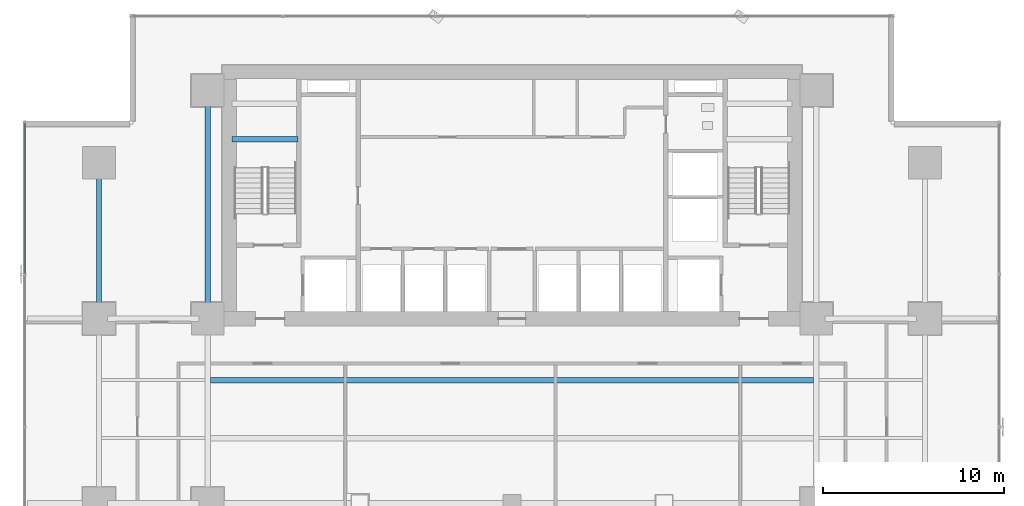
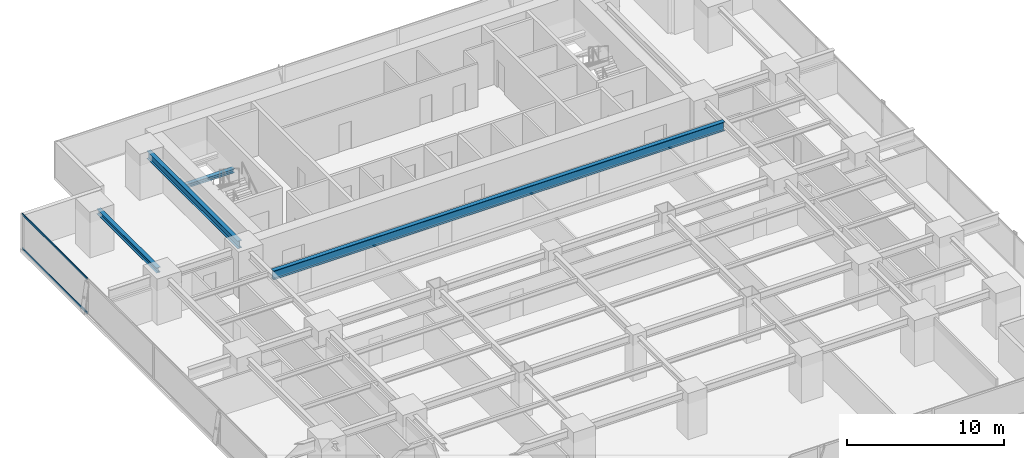
# One storey, part 16 of 32: 4 beams, 2 members, 1 element without a shape of its own.
"""IFC4 building model written with IfcOpenShell, lengths in metres."""

from ifc_helpers import new_model, si_unit, direction, frame, origin, origin_2d, place, context, subcontext, project, spatial, hollow_rectangle, i_section, extrude, source, transform, mapped, material, layer, layer_set, material_profile, profile_set, type_object, element, aggregate, save


model = new_model("IFC4")

# Units and contexts
model_context = context("Model", 3, precision=1e-05, world=origin(), true_north=direction((0.0, 1.0)))
body_context = subcontext(model_context, "Body", "Model", "MODEL_VIEW")
ifc_project = project(units=[si_unit("LENGTHUNIT", "METRE"), si_unit("AREAUNIT", "SQUARE_METRE"), si_unit("VOLUMEUNIT", "CUBIC_METRE"), si_unit("PLANEANGLEUNIT", "RADIAN"), si_unit("MASSUNIT", "GRAM", prefix="KILO")], contexts=[model_context])

# Site, building, storey
site_placement = place(None, origin())
site = spatial("IfcSite", under=ifc_project, at=site_placement, CompositionType="ELEMENT")
building_placement = place(site_placement, origin())
building = spatial("IfcBuilding", under=site, at=building_placement, Name="Sumidabori Civic Tower", CompositionType="ELEMENT")
storey_placement = place(building_placement, frame((0.0, 0.0, 52.39990234375)))
storey = spatial("IfcBuildingStorey", under=building, at=storey_placement, Name="L13", CompositionType="ELEMENT", Elevation=52.39990234375)

# Beams
ifc_material_1 = material(Name="Steel SN490", Category="steel")
ifc_material_profile_1 = material_profile(ifc_material_1, i_section(OverallWidth=0.300048828125, OverallDepth=0.300048828125, WebThickness=0.010986328125, FlangeThickness=0.01904296875, at=origin_2d()), Name="HE 300 B")
ifc_profile_set_1 = profile_set([ifc_material_profile_1], Name="Steel SN490")
beam_type_1 = type_object("IfcBeamType", Name="BM-LDG-300", PredefinedType="BEAM", material=ifc_profile_set_1)
shared_shape_1 = source(origin(), body_context, "Body", "SweptSolid", [
    extrude(i_section(OverallWidth=0.300048828125, OverallDepth=0.300048828125, WebThickness=0.010986328125, FlangeThickness=0.01904296875, at=origin_2d()), origin(), (0.0, 0.0, 1.0), 3.64990234375),
])
beam_1_placement = place(storey_placement, frame((-15.449951171875, 20.09765625, 1.4501953125), z_axis=(1.0, 0.0, 0.0), x_axis=(0.0, 1.0, 0.0)))
element("IfcBeam", 1, at=beam_1_placement, inside=storey, type_object=beam_type_1, Name="Stair ST-1 Landing Support Beam L13-1A", PredefinedType="BEAM", context=body_context, shape_type="MappedRepresentation", body=[
    mapped(shared_shape_1, transform((0.0, 0.0, 0.0), x_axis=(1.0, 0.0, 0.0), y_axis=(0.0, 1.0, 0.0), z_axis=(0.0, 0.0, 1.0), scale=1.0)),
])
ifc_material_profile_2 = material_profile(ifc_material_1, i_section(OverallWidth=0.300048828125, OverallDepth=0.39990234375, WebThickness=0.013427734375, FlangeThickness=0.02392578125, at=origin_2d()), Name="HE 400 B")
ifc_profile_set_2 = profile_set([ifc_material_profile_2], Name="Steel SN490")
beam_type_2 = type_object("IfcBeamType", Name="BM-GIRD-400", PredefinedType="BEAM", material=ifc_profile_set_2)
shared_shape_2 = source(origin(), body_context, "Body", "SweptSolid", [
    extrude(i_section(OverallWidth=0.300048828125, OverallDepth=0.39990234375, WebThickness=0.013427734375, FlangeThickness=0.02392578125, at=origin_2d()), origin(), (0.0, 0.0, 1.0), 7.64013671875),
])
beam_2_placement = place(storey_placement, frame((-22.800048828125, 10.679931640625, 3.16015625), z_axis=(0.0, 1.0, 0.0), x_axis=(-1.0, 0.0, 0.0)))
element("IfcBeam", 2, at=beam_2_placement, inside=storey, type_object=beam_type_2, Name="Primary Girder L13 GY-24", PredefinedType="BEAM", context=body_context, shape_type="MappedRepresentation", body=[
    mapped(shared_shape_2, transform((0.0, 0.0, 0.0), x_axis=(1.0, 0.0, 0.0), y_axis=(0.0, 1.0, 0.0), z_axis=(0.0, 0.0, 1.0), scale=1.0)),
])
ifc_material_profile_3 = material_profile(ifc_material_1, i_section(OverallWidth=0.300048828125, OverallDepth=0.60009765625, WebThickness=0.015380859375, FlangeThickness=0.030029296875, at=origin_2d()), Name="HE 600 B")
ifc_profile_set_3 = profile_set([ifc_material_profile_3], Name="Steel SN490")
beam_type_3 = type_object("IfcBeamType", Name="BM-GIRD-600", PredefinedType="BEAM", material=ifc_profile_set_3)
shared_shape_3 = source(origin(), body_context, "Body", "SweptSolid", [
    extrude(i_section(OverallWidth=0.300048828125, OverallDepth=0.60009765625, WebThickness=0.015380859375, FlangeThickness=0.030029296875, at=origin_2d()), origin(), (0.0, 0.0, 1.0), 11.64013671875),
])
beam_3_placement = place(storey_placement, frame((-16.800048828125, 10.679931640625, 3.06005859375), z_axis=(0.0, 1.0, 0.0), x_axis=(-1.0, 0.0, 0.0)))
element("IfcBeam", 3, at=beam_3_placement, inside=storey, type_object=beam_type_3, Name="Primary Girder L13 GY-28", PredefinedType="BEAM", context=body_context, shape_type="MappedRepresentation", body=[
    mapped(shared_shape_3, transform((0.0, 0.0, 0.0), x_axis=(1.0, 0.0, 0.0), y_axis=(0.0, 1.0, 0.0), z_axis=(0.0, 0.0, 1.0), scale=1.0)),
])
ifc_material_profile_4 = material_profile(ifc_material_1, i_section(OverallWidth=0.300048828125, OverallDepth=0.699951171875, WebThickness=0.01708984375, FlangeThickness=0.031982421875, at=origin_2d()), Name="HE 700 B")
ifc_profile_set_4 = profile_set([ifc_material_profile_4], Name="Steel SN490")
beam_type_4 = type_object("IfcBeamType", Name="BM-GIRD-700", PredefinedType="BEAM", material=ifc_profile_set_4)
shared_shape_4 = source(origin(), body_context, "Body", "SweptSolid", [
    extrude(i_section(OverallWidth=0.300048828125, OverallDepth=0.699951171875, WebThickness=0.01708984375, FlangeThickness=0.031982421875, at=origin_2d()), origin(), (0.0, 0.0, 1.0), 33.2998046875),
])
beam_4_placement = place(storey_placement, frame((-16.64990234375, 6.800048828125, 3.010009765625), z_axis=(1.0, 0.0, 0.0), x_axis=(0.0, 1.0, 0.0)))
element("IfcBeam", 4, at=beam_4_placement, inside=storey, type_object=beam_type_4, Name="North Bay Floor Beam L13 JSTN-60", PredefinedType="BEAM", context=body_context, shape_type="MappedRepresentation", body=[
    mapped(shared_shape_4, transform((0.0, 0.0, 0.0), x_axis=(1.0, 0.0, 0.0), y_axis=(0.0, 1.0, 0.0), z_axis=(0.0, 0.0, 1.0), scale=1.0)),
])

# Curtain wall, members
ifc_material_2 = material(Name="Anodised Bronze Aluminium AW-6063-T6", Category="aluminium")
ifc_layer = layer(ifc_material_2, 0.179931640625, Name="Anodised Bronze Aluminium AW-6063-T6")
ifc_layer_set = layer_set([ifc_layer], Name="Anodised Bronze Aluminium AW-6063-T6")
curtain_wall_type = type_object("IfcCurtainWallType", Name="CW-SYS-2", PredefinedType="NOTDEFINED", material=ifc_layer_set)
curtain_wall_placement = place(storey_placement, origin())
curtain_wall = element("IfcCurtainWall", 5, at=curtain_wall_placement, inside=storey, type_object=curtain_wall_type, Name="Curtain Wall CW:L13:R10", PredefinedType="NOTDEFINED")
ifc_material_profile_5 = material_profile(ifc_material_2, hollow_rectangle(XDim=0.06494140625, YDim=0.14990234375, WallThickness=0.0048828125, at=origin_2d()), Name="ALU TRANSOM 150x65")
ifc_profile_set_5 = profile_set([ifc_material_profile_5], Name="Anodised Bronze Aluminium AW-6063-T6")
member_type = type_object("IfcMemberType", Name="CW-TRN-150", PredefinedType="USERDEFINED", material=ifc_profile_set_5)
shared_shape_5 = source(origin(), body_context, "Body", "SweptSolid", [
    extrude(hollow_rectangle(XDim=0.06494140625, YDim=0.14990234375, WallThickness=0.0048828125, at=origin_2d()), origin(), (0.0, 0.0, 1.0), 8.322998046875),
])
member_1_placement = place(storey_placement, frame((-26.8798828125, 21.0, 0.03271484375), z_axis=(0.0, -1.0, 0.0), x_axis=(1.0, 0.0, 0.0)))
member_1 = element("IfcMember", 6, at=member_1_placement, type_object=member_type, Name="CW-2 transom 1.1", ObjectType="TRANSOM", PredefinedType="USERDEFINED", context=body_context, shape_type="MappedRepresentation", body=[
    mapped(shared_shape_5, transform((0.0, 0.0, 0.0), x_axis=(1.0, 0.0, 0.0), y_axis=(0.0, 1.0, 0.0), z_axis=(0.0, 0.0, 1.0), scale=1.0)),
])
member_2_placement = place(storey_placement, frame((-26.8798828125, 21.0, 2.70751953125), z_axis=(0.0, -1.0, 0.0), x_axis=(1.0, 0.0, 0.0)))
member_2 = element("IfcMember", 7, at=member_2_placement, type_object=member_type, Name="CW-2 transom 1.2", ObjectType="TRANSOM", PredefinedType="USERDEFINED", context=body_context, shape_type="MappedRepresentation", body=[
    mapped(shared_shape_5, transform((0.0, 0.0, 0.0), x_axis=(1.0, 0.0, 0.0), y_axis=(0.0, 1.0, 0.0), z_axis=(0.0, 0.0, 1.0), scale=1.0)),
])
aggregate(curtain_wall, [member_1, member_2])

save(model, "model.ifc")
